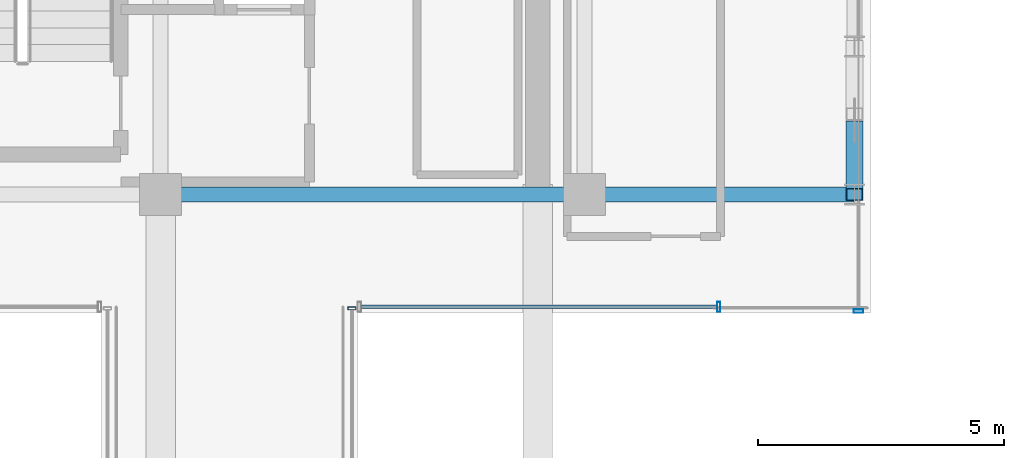
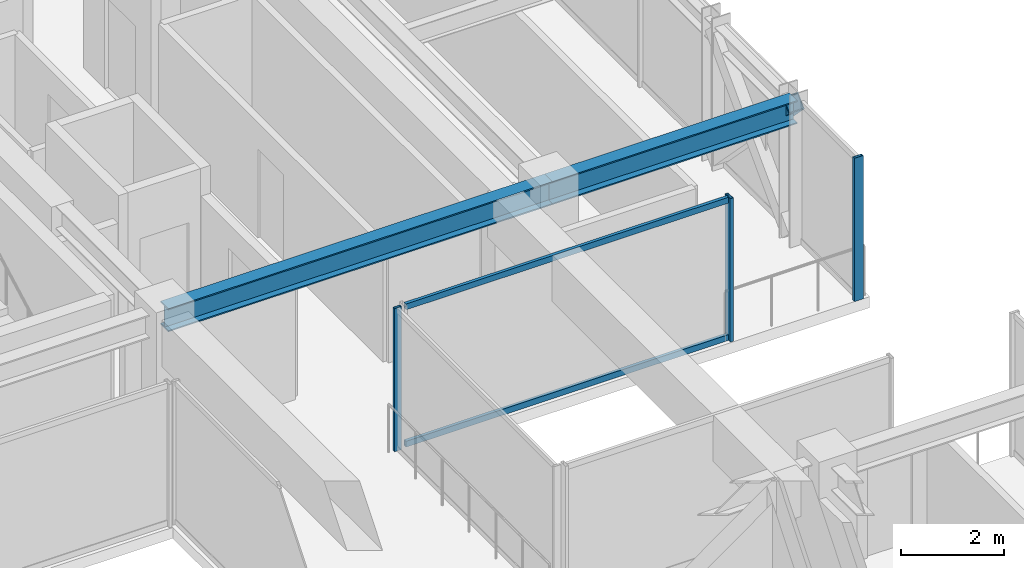
# One storey, part 18 of 41: 6 members, 2 beams, 3 elements without a shape of their own.
"""IFC4 building model written with IfcOpenShell, lengths in metres."""

from ifc_helpers import new_model, si_unit, direction, frame, origin, origin_2d, place, context, subcontext, project, spatial, hollow_rectangle, i_section, extrude, source, transform, mapped, material, material_profile, profile_set, type_object, element, aggregate, save


model = new_model("IFC4")

# Units and contexts
model_context = context("Model", 3, precision=1e-05, world=origin(), true_north=direction((0.0, 1.0)))
body_context = subcontext(model_context, "Body", "Model", "MODEL_VIEW")
ifc_project = project(units=[si_unit("LENGTHUNIT", "METRE"), si_unit("AREAUNIT", "SQUARE_METRE"), si_unit("VOLUMEUNIT", "CUBIC_METRE"), si_unit("PLANEANGLEUNIT", "RADIAN"), si_unit("MASSUNIT", "GRAM", prefix="KILO")], contexts=[model_context])

# Site, building, storey
site_placement = place(None, origin())
site = spatial("IfcSite", under=ifc_project, at=site_placement, CompositionType="ELEMENT")
building_placement = place(site_placement, origin())
building = spatial("IfcBuilding", under=site, at=building_placement, Name="Nahalor Promenade Grand Hotel", CompositionType="ELEMENT")
storey_placement = place(building_placement, frame((0.0, 0.0, 159.949951171875)))
storey = spatial("IfcBuildingStorey", under=building, at=storey_placement, Name="L40", CompositionType="ELEMENT", Elevation=159.949951171875)

# Beams
ifc_material_1 = material(Name="Steel S355JR", Category="steel")
ifc_material_profile_1 = material_profile(ifc_material_1, i_section(OverallWidth=0.3, OverallDepth=0.55, WebThickness=0.015, FlangeThickness=0.029, at=origin_2d()), Name="HEB 550")
ifc_profile_set_1 = profile_set([ifc_material_profile_1], Name="Steel S355JR")
beam_type = type_object("IfcBeamType", Name="Beam-Girder-HEB550", PredefinedType="BEAM", material=ifc_profile_set_1)
shared_shape_1 = source(origin(), body_context, "Body", "SweptSolid", [
    extrude(i_section(OverallWidth=0.3, OverallDepth=0.55, WebThickness=0.015, FlangeThickness=0.029, at=origin_2d()), origin(), (0.0, 0.0, 1.0), 8.60009765625),
])
beam_1_placement = place(storey_placement, frame((8.39990234375, 5.39990234375, 3.114990234375), z_axis=(1.0, 0.0, 0.0), x_axis=(0.0, 1.0, 0.0)))
element("IfcBeam", 1, at=beam_1_placement, inside=storey, type_object=beam_type, Name="BM-L40-GX-2-5", PredefinedType="BEAM", context=body_context, shape_type="MappedRepresentation", body=[
    mapped(shared_shape_1, transform((0.0, 0.0, 0.0), scale=1.0)),
])
shared_shape_2 = source(origin(), body_context, "Body", "SweptSolid", [
    extrude(i_section(OverallWidth=0.3, OverallDepth=0.55, WebThickness=0.015, FlangeThickness=0.029, at=origin_2d()), origin(), (0.0, 0.0, 1.0), 5.47998046875),
])
beam_2_placement = place(storey_placement, frame((17.0, 5.39990234375, 3.114990234375), z_axis=(1.0, 0.0, 0.0), x_axis=(0.0, 1.0, 0.0)))
element("IfcBeam", 2, at=beam_2_placement, inside=storey, type_object=beam_type, Name="BM-L40-GX-2-6", PredefinedType="BEAM", context=body_context, shape_type="MappedRepresentation", body=[
    mapped(shared_shape_2, transform((0.0, 0.0, 0.0), scale=1.0)),
])

# Member
ifc_material_profile_2 = material_profile(ifc_material_1, hollow_rectangle(XDim=0.35, YDim=0.35, WallThickness=0.02, at=origin_2d()), Name="SHS 350x350x20")
ifc_profile_set_2 = profile_set([ifc_material_profile_2], Name="Steel S355JR")
member_type_1 = type_object("IfcMemberType", Name="Mem-VoidBrace-SHS350", PredefinedType="BRACE", material=ifc_profile_set_2)
shared_shape_3 = source(origin(), body_context, "Body", "SweptSolid", [
    extrude(hollow_rectangle(XDim=0.35, YDim=0.35, WallThickness=0.02, at=origin_2d()), origin(), (0.0, 0.0, 1.0), 1.96630859375),
])
member_1_placement = place(storey_placement, frame((22.47998046875, 6.769775390625, 1.829345703125), z_axis=(0.0, -0.696663391113, 0.71739815966), x_axis=(1.0, 0.0, 0.0)))
element("IfcMember", 3, at=member_1_placement, inside=storey, type_object=member_type_1, Name="EXO-L40-VX2-E1B", PredefinedType="BRACE", context=body_context, shape_type="MappedRepresentation", body=[
    mapped(shared_shape_3, transform((0.0, 0.0, 0.0), scale=1.0)),
])

# Curtain wall, member
ifc_material_2 = material(Name="Anodised Bronze Aluminium EN AW-6063 T6", Category="aluminium")
curtain_wall_type_1 = type_object("IfcCurtainWallType", Name="CW3 Elliptical-Void Collar Unitised Curtain Wall", PredefinedType="USERDEFINED", material=ifc_material_2)
curtain_wall_1_placement = place(storey_placement, origin())
curtain_wall_1 = element("IfcCurtainWall", 4, at=curtain_wall_1_placement, inside=storey, type_object=curtain_wall_type_1, Name="L40 Curtain Wall CW-L40-E-4", ObjectType="UNITISED_CURTAIN_WALL", PredefinedType="USERDEFINED")
ifc_material_profile_3 = material_profile(ifc_material_2, hollow_rectangle(XDim=0.07, YDim=0.2, WallThickness=0.005, at=origin_2d()), Name="CWM 70x200x5")
ifc_profile_set_3 = profile_set([ifc_material_profile_3], Name="Anodised Bronze Aluminium EN AW-6063 T6")
member_type_2 = type_object("IfcMemberType", Name="CWM3 Void Collar Mullion 70x200", PredefinedType="MULLION", material=ifc_profile_set_3)
shared_shape_4 = source(origin(), body_context, "Body", "SweptSolid", [
    extrude(hollow_rectangle(XDim=0.07, YDim=0.2, WallThickness=0.005, at=origin_2d()), origin(), (0.0, 0.0, 1.0), 3.39013671875),
])
member_2_placement = place(storey_placement, frame((22.56005859375, 3.033935546875, 0.0), z_axis=(0.0, 0.0, 1.0), x_axis=(0.0, 1.0, 0.0)))
member_2 = element("IfcMember", 5, at=member_2_placement, type_object=member_type_2, Name="CW-L40-E-4 Mullion 0", PredefinedType="MULLION", context=body_context, shape_type="MappedRepresentation", body=[
    mapped(shared_shape_4, transform((0.0, 0.0, 0.0), scale=1.0)),
])
aggregate(curtain_wall_1, [member_2])

# Curtain wall, members
curtain_wall_2_placement = place(storey_placement, origin())
curtain_wall_2 = element("IfcCurtainWall", 6, at=curtain_wall_2_placement, inside=storey, type_object=curtain_wall_type_1, Name="L40 Curtain Wall CW-L40-VOID-EN1", ObjectType="UNITISED_CURTAIN_WALL", PredefinedType="USERDEFINED")
member_3_placement = place(storey_placement, frame((19.72509765625, 3.118896484375, 0.0), z_axis=(0.0, 0.0, 1.0), x_axis=(1.0, 0.0, 0.0)))
member_3 = element("IfcMember", 7, at=member_3_placement, type_object=member_type_2, Name="CW-L40-VOID-EN1 Mullion 1", PredefinedType="MULLION", context=body_context, shape_type="MappedRepresentation", body=[
    mapped(shared_shape_4, transform((0.0, 0.0, 0.0), scale=1.0)),
])
ifc_material_profile_4 = material_profile(ifc_material_2, hollow_rectangle(XDim=0.07, YDim=0.14, WallThickness=0.004, at=origin_2d()), Name="CWT 70x140x4")
ifc_profile_set_4 = profile_set([ifc_material_profile_4], Name="Anodised Bronze Aluminium EN AW-6063 T6")
member_type_3 = type_object("IfcMemberType", Name="CWT3 Void Collar Transom 70x140", PredefinedType="USERDEFINED", material=ifc_profile_set_4)
shared_shape_5 = source(origin(), body_context, "Body", "SweptSolid", [
    extrude(hollow_rectangle(XDim=0.07, YDim=0.14, WallThickness=0.004, at=origin_2d()), origin(), (0.0, 0.0, 1.0), 7.219970703125),
])
member_4_placement = place(storey_placement, frame((12.469970703125, 3.118896484375, 0.070068359375), z_axis=(1.0, 0.0, 0.0), x_axis=(0.0, 1.0, 0.0)))
member_4 = element("IfcMember", 8, at=member_4_placement, type_object=member_type_3, Name="CW-L40-VOID-EN1 Transom 0-0", ObjectType="TRANSOM", PredefinedType="USERDEFINED", context=body_context, shape_type="MappedRepresentation", body=[
    mapped(shared_shape_5, transform((0.0, 0.0, 0.0), scale=1.0)),
])
member_5_placement = place(storey_placement, frame((12.469970703125, 3.118896484375, 3.320068359375), z_axis=(1.0, 0.0, 0.0), x_axis=(0.0, 1.0, 0.0)))
member_5 = element("IfcMember", 9, at=member_5_placement, type_object=member_type_3, Name="CW-L40-VOID-EN1 Transom 0-1", ObjectType="TRANSOM", PredefinedType="USERDEFINED", context=body_context, shape_type="MappedRepresentation", body=[
    mapped(shared_shape_5, transform((0.0, 0.0, 0.0), scale=1.0)),
])
aggregate(curtain_wall_2, [member_3, member_4, member_5])

# Curtain wall, member
curtain_wall_type_2 = type_object("IfcCurtainWallType", Name="CW4 Low-Iron Sky-Gallery Bridge Curtain Wall", PredefinedType="USERDEFINED", material=ifc_material_2)
curtain_wall_3_placement = place(storey_placement, origin())
curtain_wall_3 = element("IfcCurtainWall", 10, at=curtain_wall_3_placement, inside=storey, type_object=curtain_wall_type_2, Name="L40 Curtain Wall CW-L40-BRG-E", ObjectType="UNITISED_CURTAIN_WALL", PredefinedType="USERDEFINED")
ifc_material_profile_5 = material_profile(ifc_material_2, hollow_rectangle(XDim=0.06, YDim=0.16, WallThickness=0.004, at=origin_2d()), Name="CWM 60x160x4")
ifc_profile_set_5 = profile_set([ifc_material_profile_5], Name="Anodised Bronze Aluminium EN AW-6063 T6")
member_type_4 = type_object("IfcMemberType", Name="CWM4 Sky-Gallery Slim Mullion 60x160", PredefinedType="MULLION", material=ifc_profile_set_5)
shared_shape_6 = source(origin(), body_context, "Body", "SweptSolid", [
    extrude(hollow_rectangle(XDim=0.06, YDim=0.16, WallThickness=0.004, at=origin_2d()), origin(), (0.0, 0.0, 1.0), 3.39013671875),
])
member_6_placement = place(storey_placement, frame((12.280029296875, 3.089111328125, 0.0), z_axis=(0.0, 0.0, 1.0), x_axis=(0.0, 1.0, 0.0)))
member_6 = element("IfcMember", 11, at=member_6_placement, type_object=member_type_4, Name="CW-L40-BRG-E Mullion 1", PredefinedType="MULLION", context=body_context, shape_type="MappedRepresentation", body=[
    mapped(shared_shape_6, transform((0.0, 0.0, 0.0), scale=1.0)),
])
aggregate(curtain_wall_3, [member_6])

save(model, "model.ifc")
